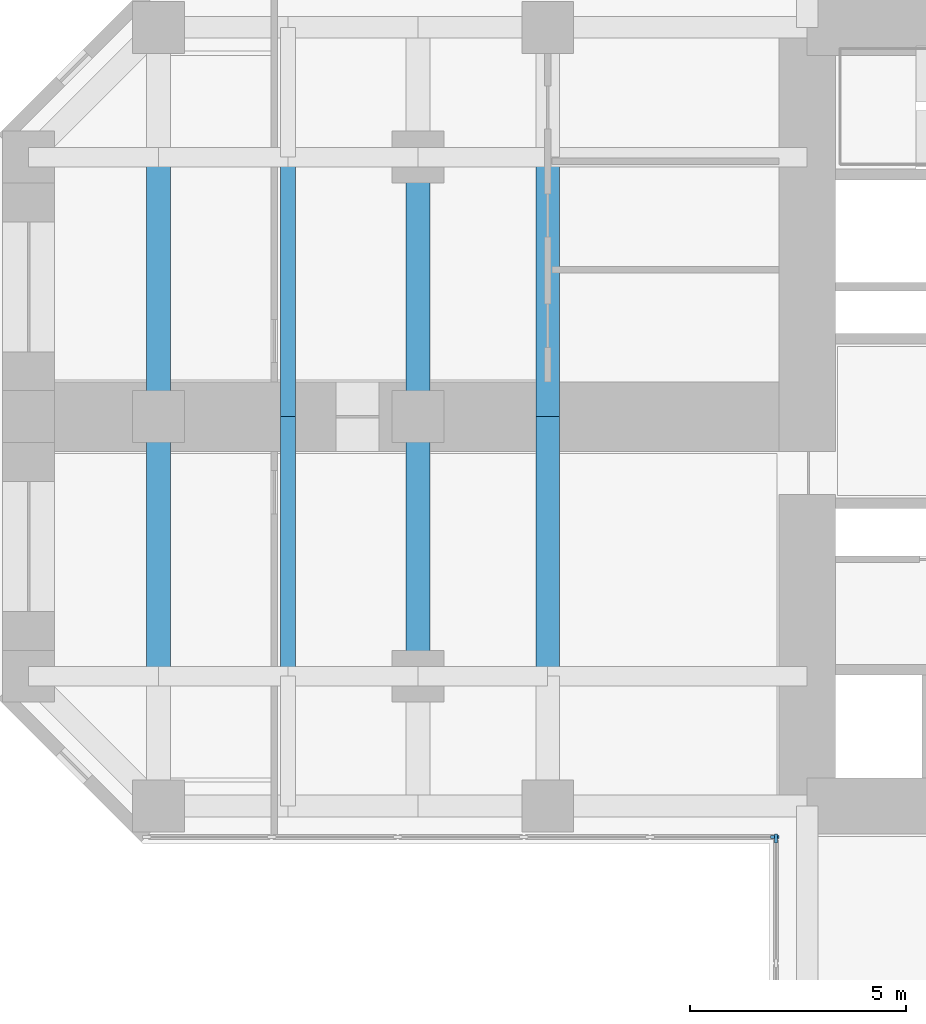
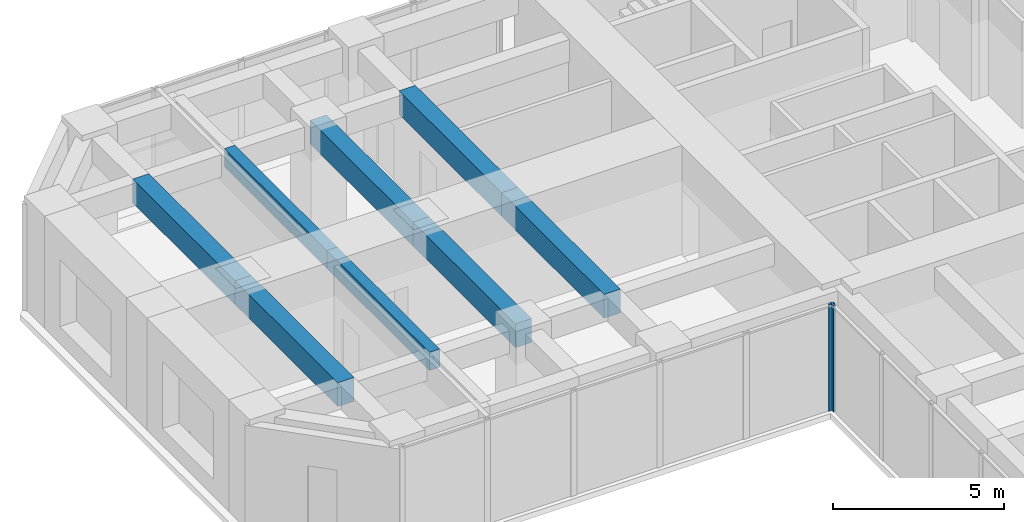
# One storey, part 3 of 13: 8 beams, 2 members, 2 elements without a shape of their own.
"""IFC4 building model written with IfcOpenShell, lengths in metres."""

from ifc_helpers import new_model, si_unit, direction, frame, origin, origin_2d, place, context, subcontext, project, spatial, rectangle, extrude, material, material_profile, profile_set, type_object, element, aggregate, save


model = new_model("IFC4")

# Units and contexts
model_context = context("Model", 3, precision=1e-05, world=origin(), true_north=direction((0.0, 1.0)))
body_context = subcontext(model_context, "Body", "Model", "MODEL_VIEW")
ifc_project = project(units=[si_unit("LENGTHUNIT", "METRE"), si_unit("AREAUNIT", "SQUARE_METRE"), si_unit("VOLUMEUNIT", "CUBIC_METRE"), si_unit("PLANEANGLEUNIT", "RADIAN"), si_unit("MASSUNIT", "GRAM", prefix="KILO")], contexts=[model_context])

# Site, building, storey
site_placement = place(None, origin())
site = spatial("IfcSite", under=ifc_project, at=site_placement, CompositionType="ELEMENT")
building_placement = place(site_placement, origin())
building = spatial("IfcBuilding", under=site, at=building_placement, Name="Torre Cruceta", CompositionType="ELEMENT")
storey_placement = place(building_placement, frame((0.0, 0.0, 31.5)))
storey = spatial("IfcBuildingStorey", under=building, at=storey_placement, Name="L07", CompositionType="ELEMENT", Elevation=31.5)

# Beams
ifc_material_1 = material(Name="Concrete G60 (fck 60 MPa)", Category="concrete")
ifc_material_profile_1 = material_profile(ifc_material_1, rectangle(XDim=0.550048828125, YDim=0.85009765625, at=origin_2d()), Name="RC 550X850")
ifc_profile_set_1 = profile_set([ifc_material_profile_1], Name="Concrete G60 (fck 60 MPa)")
beam_type_1 = type_object("IfcBeamType", Name="CROSS BEAM RC 550X850", PredefinedType="BEAM", material=ifc_profile_set_1)
for number, where, z_axis, x_axis, name in (
    (1, (-15.0, 6.0, 3.375), (0.0, -1.0, 0.0), (1.0, 0.0, 0.0), "GB4 L07 W cross15 2"),
    (2, (-15.0, 0.0, 3.375), (0.0, -1.0, 0.0), (1.0, 0.0, 0.0), "GB4 L07 W cross15 3"),
    (3, (-18.0, 6.0, 3.375), (0.0, -1.0, 0.0), (1.0, 0.0, 0.0), "GB4 L07 W cross18 2"),
    (4, (-18.0, 0.0, 3.375), (0.0, -1.0, 0.0), (1.0, 0.0, 0.0), "GB4 L07 W cross18 3"),
    (5, (-24.0, 6.0, 3.375), (0.0, -1.0, 0.0), (1.0, 0.0, 0.0), "GB4 L07 W cross24 2"),
    (6, (-24.0, 0.0, 3.375), (0.0, -1.0, 0.0), (1.0, 0.0, 0.0), "GB4 L07 W cross24 3"),
):
    element("IfcBeam", number, at=place(storey_placement, frame(where, z_axis=z_axis, x_axis=x_axis)), inside=storey, type_object=beam_type_1, Name=name, PredefinedType="BEAM", context=body_context, shape_type="SweptSolid", body=[
        extrude(rectangle(XDim=0.550048828125, YDim=0.85009765625, at=origin_2d()), origin(), (0.0, 0.0, 1.0), 6.0),
    ])

# Curtain wall, member
ifc_material_2 = material(Name="Aluminium unitised curtain wall", Category="aluminium")
curtain_wall_type = type_object("IfcCurtainWallType", Name="CURTAIN WALL CW-A OFFICE LOW RISE", PredefinedType="USERDEFINED", material=ifc_material_2)
curtain_wall_1_placement = place(storey_placement, origin())
curtain_wall_1 = element("IfcCurtainWall", 7, at=curtain_wall_1_placement, inside=storey, type_object=curtain_wall_type, Name="CW-A L07 W side 14", ObjectType="UNITISED", PredefinedType="USERDEFINED")
ifc_material_3 = material(Name="Aluminium mullion", Category="aluminium")
ifc_material_profile_2 = material_profile(ifc_material_3, rectangle(XDim=0.06494140625, YDim=0.199951171875, at=origin_2d()), Name="AL 65X200")
ifc_profile_set_2 = profile_set([ifc_material_profile_2], Name="Aluminium mullion")
member_type = type_object("IfcMemberType", Name="CW-A MULLION 65X200", PredefinedType="MULLION", material=ifc_profile_set_2)
member_1_placement = place(storey_placement, frame((-9.75244140625, -9.719970703125, 0.0), z_axis=(0.0, 0.0, 1.0), x_axis=(0.0, 1.0, 0.0)))
member_1 = element("IfcMember", 8, at=member_1_placement, type_object=member_type, Name="CW-A mullion 6", PredefinedType="MULLION", context=body_context, shape_type="SweptSolid", body=[
    extrude(rectangle(XDim=0.06494140625, YDim=0.199951171875, at=origin_2d()), origin(), (0.0, 0.0, 1.0), 3.800048828125),
])
aggregate(curtain_wall_1, [member_1])

curtain_wall_2_placement = place(storey_placement, origin())
curtain_wall_2 = element("IfcCurtainWall", 9, at=curtain_wall_2_placement, inside=storey, type_object=curtain_wall_type, Name="CW-A L07 S side 15", ObjectType="UNITISED", PredefinedType="USERDEFINED")
member_2_placement = place(storey_placement, frame((-9.719970703125, -9.75244140625, 0.0), z_axis=(0.0, 0.0, 1.0), x_axis=(1.0, 0.0, 0.0)))
member_2 = element("IfcMember", 10, at=member_2_placement, type_object=member_type, Name="CW-A mullion 1", PredefinedType="MULLION", context=body_context, shape_type="SweptSolid", body=[
    extrude(rectangle(XDim=0.06494140625, YDim=0.199951171875, at=origin_2d()), origin(), (0.0, 0.0, 1.0), 3.800048828125),
])
aggregate(curtain_wall_2, [member_2])

# Beams
ifc_material_4 = material(Name="Concrete G60 (fck 60 MPa)", Category="concrete")
ifc_material_profile_3 = material_profile(ifc_material_4, rectangle(XDim=0.35009765625, YDim=0.64990234375, at=origin_2d()), Name="RC 350X650")
ifc_profile_set_3 = profile_set([ifc_material_profile_3], Name="Concrete G60 (fck 60 MPa)")
beam_type_2 = type_object("IfcBeamType", Name="SECONDARY BEAM RC 350X650", PredefinedType="JOIST", material=ifc_profile_set_3)
for number, where, z_axis, x_axis, name in (
    (11, (-21.0, 6.0, 3.47509765625), (0.0, -1.0, 0.0), (1.0, 0.0, 0.0), "JB3 L07 W sec21 2"),
    (12, (-21.0, 0.0, 3.47509765625), (0.0, -1.0, 0.0), (1.0, 0.0, 0.0), "JB3 L07 W sec21 3"),
):
    element("IfcBeam", number, at=place(storey_placement, frame(where, z_axis=z_axis, x_axis=x_axis)), inside=storey, type_object=beam_type_2, Name=name, PredefinedType="JOIST", context=body_context, shape_type="SweptSolid", body=[
        extrude(rectangle(XDim=0.35009765625, YDim=0.64990234375, at=origin_2d()), origin(), (0.0, 0.0, 1.0), 6.0),
    ])

save(model, "model.ifc")
